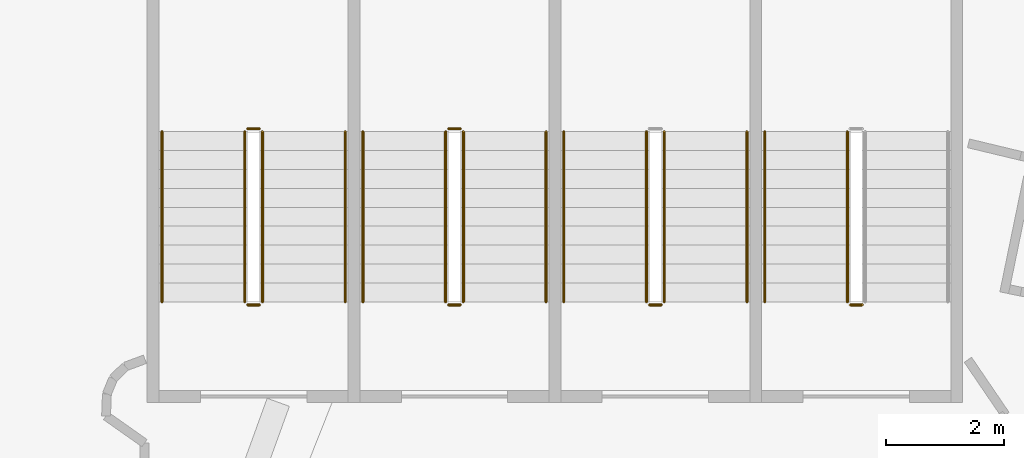
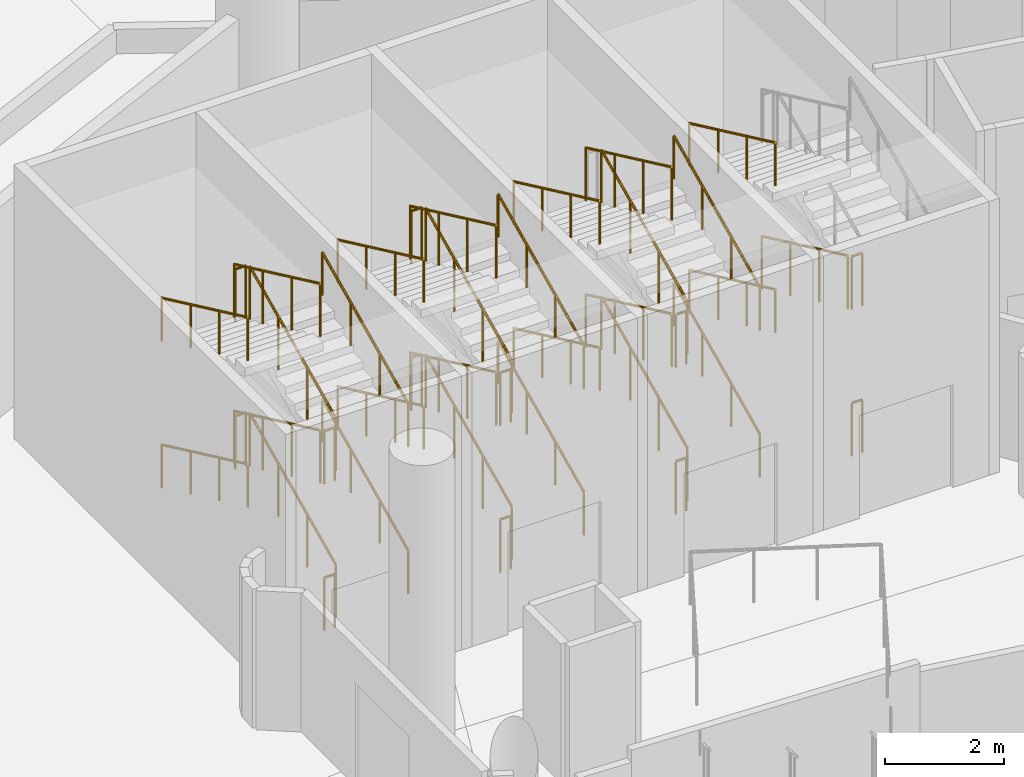
# One storey, part 167 of 173: 39 railings.
"""IFC4 building model written with IfcOpenShell, lengths in metres."""

from ifc_helpers import new_model, si_unit, direction, frame, origin, origin_2d, place, context, subcontext, project, spatial, circle, extrude, material, type_object, element, save


model = new_model("IFC4")

# Units and contexts
model_context = context("Model", 3, precision=1e-05, world=origin(), true_north=direction((0.0, 1.0)))
body_context = subcontext(model_context, "Body", "Model", "MODEL_VIEW")
ifc_project = project(units=[si_unit("LENGTHUNIT", "METRE"), si_unit("AREAUNIT", "SQUARE_METRE"), si_unit("VOLUMEUNIT", "CUBIC_METRE"), si_unit("PLANEANGLEUNIT", "RADIAN"), si_unit("MASSUNIT", "GRAM", prefix="KILO")], contexts=[model_context])

# Site, building, storey
site_placement = place(None, origin())
site = spatial("IfcSite", under=ifc_project, at=site_placement, CompositionType="ELEMENT")
building_placement = place(site_placement, origin())
building = spatial("IfcBuilding", under=site, at=building_placement, Name="Meseta Stadium", CompositionType="ELEMENT")
storey_placement = place(building_placement, frame((0.0, 0.0, 18.0)))
storey = spatial("IfcBuildingStorey", under=building, at=storey_placement, Name="L03", CompositionType="ELEMENT", Elevation=18.0)

# Railings
ifc_material_1 = material(Name="Steel S355", Category="steel")
railing_type_1 = type_object("IfcRailingType", Name="Stair guard 1100", PredefinedType="GUARDRAIL", material=ifc_material_1)
railing_1_placement = place(storey_placement, frame((43.283447265625, 97.080078125, 1.64990234375)))
element("IfcRailing", 1, at=railing_1_placement, inside=storey, type_object=railing_type_1, Name="ST33 L03 guard 3", PredefinedType="GUARDRAIL", context=body_context, shape_type="SweptSolid", body=[
    extrude(circle(Radius=0.02392578125, at=origin_2d()), frame((0.0, 0.0, 1.076171875), z_axis=(0.0, -0.905454327043, 0.424443708447), x_axis=(1.0, 0.0, 0.0)), (0.0, 0.0, 1.0), 3.180908203125),
    extrude(circle(Radius=0.02099609375, at=origin_2d()), origin(), (0.0, 0.0, 1.0), 1.052001953125),
    extrude(circle(Radius=0.02099609375, at=origin_2d()), frame((0.0, -0.9599609375, 0.449951171875)), (0.0, 0.0, 1.0), 1.052001953125),
    extrude(circle(Radius=0.02099609375, at=origin_2d()), frame((0.0, -1.920166015625, 0.900146484375)), (0.0, 0.0, 1.0), 1.052001953125),
    extrude(circle(Radius=0.02099609375, at=origin_2d()), frame((0.0, -2.880126953125, 1.35009765625)), (0.0, 0.0, 1.0), 1.052001953125),
])
for number, where, name in (
    (2, (43.533447265625, 94.14990234375, 3.0), "ST33 L03 guard 4"),
    (3, (43.533447265625, 94.14990234375, 0.0), "ST33 L03 guard 8"),
):
    element("IfcRailing", number, at=place(storey_placement, frame(where)), inside=storey, type_object=railing_type_1, Name=name, PredefinedType="GUARDRAIL", context=body_context, shape_type="SweptSolid", body=[
        extrude(circle(Radius=0.02392578125, at=origin_2d()), frame((0.0, 0.0, 1.076171875), z_axis=(-1.0, 0.0, 0.0), x_axis=(0.0, -1.0, 0.0)), (0.0, 0.0, 1.0), 0.2001953125),
        extrude(circle(Radius=0.02099609375, at=origin_2d()), origin(), (0.0, 0.0, 1.0), 1.052001953125),
        extrude(circle(Radius=0.02099609375, at=origin_2d()), frame((-0.2001953125, 0.0, 0.0)), (0.0, 0.0, 1.0), 1.052001953125),
    ])
railing_2_placement = place(storey_placement, frame((40.183349609375, 94.199951171875, 0.14990234375)))
element("IfcRailing", 4, at=railing_2_placement, inside=storey, type_object=railing_type_1, Name="ST34 L03 guard 1", PredefinedType="GUARDRAIL", context=body_context, shape_type="SweptSolid", body=[
    extrude(circle(Radius=0.02392578125, at=origin_2d()), frame((0.0, 0.0, 1.076171875), z_axis=(0.0, 0.905454327043, 0.424443708447), x_axis=(-1.0, 0.0, 0.0)), (0.0, 0.0, 1.0), 3.180908203125),
    extrude(circle(Radius=0.02099609375, at=origin_2d()), origin(), (0.0, 0.0, 1.0), 1.052001953125),
    extrude(circle(Radius=0.02099609375, at=origin_2d()), frame((0.0, 0.9599609375, 0.449951171875)), (0.0, 0.0, 1.0), 1.052001953125),
    extrude(circle(Radius=0.02099609375, at=origin_2d()), frame((0.0, 1.920166015625, 0.900146484375)), (0.0, 0.0, 1.0), 1.052001953125),
    extrude(circle(Radius=0.02099609375, at=origin_2d()), frame((0.0, 2.880126953125, 1.35009765625)), (0.0, 0.0, 1.0), 1.052001953125),
])
railing_3_placement = place(storey_placement, frame((39.88330078125, 97.080078125, 1.64990234375)))
element("IfcRailing", 5, at=railing_3_placement, inside=storey, type_object=railing_type_1, Name="ST34 L03 guard 3", PredefinedType="GUARDRAIL", context=body_context, shape_type="SweptSolid", body=[
    extrude(circle(Radius=0.02392578125, at=origin_2d()), frame((0.0, 0.0, 1.076171875), z_axis=(0.0, -0.905454327043, 0.424443708447), x_axis=(1.0, 0.0, 0.0)), (0.0, 0.0, 1.0), 3.180908203125),
    extrude(circle(Radius=0.02099609375, at=origin_2d()), origin(), (0.0, 0.0, 1.0), 1.052001953125),
    extrude(circle(Radius=0.02099609375, at=origin_2d()), frame((0.0, -0.9599609375, 0.449951171875)), (0.0, 0.0, 1.0), 1.052001953125),
    extrude(circle(Radius=0.02099609375, at=origin_2d()), frame((0.0, -1.920166015625, 0.900146484375)), (0.0, 0.0, 1.0), 1.052001953125),
    extrude(circle(Radius=0.02099609375, at=origin_2d()), frame((0.0, -2.880126953125, 1.35009765625)), (0.0, 0.0, 1.0), 1.052001953125),
])
railing_4_placement = place(storey_placement, frame((40.13330078125, 94.14990234375, 3.0)))
element("IfcRailing", 6, at=railing_4_placement, inside=storey, type_object=railing_type_1, Name="ST34 L03 guard 4", PredefinedType="GUARDRAIL", context=body_context, shape_type="SweptSolid", body=[
    extrude(circle(Radius=0.02392578125, at=origin_2d()), frame((0.0, 0.0, 1.076171875), z_axis=(-1.0, 0.0, 0.0), x_axis=(0.0, -1.0, 0.0)), (0.0, 0.0, 1.0), 0.199951171875),
    extrude(circle(Radius=0.02099609375, at=origin_2d()), origin(), (0.0, 0.0, 1.0), 1.052001953125),
    extrude(circle(Radius=0.02099609375, at=origin_2d()), frame((-0.199951171875, 0.0, 0.0)), (0.0, 0.0, 1.0), 1.052001953125),
])
railing_5_placement = place(storey_placement, frame((40.183349609375, 94.199951171875, 3.14990234375)))
element("IfcRailing", 7, at=railing_5_placement, inside=storey, type_object=railing_type_1, Name="ST34 L03 guard 5", PredefinedType="GUARDRAIL", context=body_context, shape_type="SweptSolid", body=[
    extrude(circle(Radius=0.02392578125, at=origin_2d()), frame((0.0, 0.0, 1.076171875), z_axis=(0.0, 0.905454327043, 0.424443708447), x_axis=(-1.0, 0.0, 0.0)), (0.0, 0.0, 1.0), 3.180908203125),
    extrude(circle(Radius=0.02099609375, at=origin_2d()), origin(), (0.0, 0.0, 1.0), 1.052001953125),
    extrude(circle(Radius=0.02099609375, at=origin_2d()), frame((0.0, 0.9599609375, 0.449951171875)), (0.0, 0.0, 1.0), 1.052001953125),
    extrude(circle(Radius=0.02099609375, at=origin_2d()), frame((0.0, 1.920166015625, 0.900146484375)), (0.0, 0.0, 1.0), 1.052001953125),
    extrude(circle(Radius=0.02099609375, at=origin_2d()), frame((0.0, 2.880126953125, 1.35009765625)), (0.0, 0.0, 1.0), 1.052001953125),
])
railing_6_placement = place(storey_placement, frame((39.88330078125, 97.080078125, 4.64990234375)))
element("IfcRailing", 8, at=railing_6_placement, inside=storey, type_object=railing_type_1, Name="ST34 L03 guard 7", PredefinedType="GUARDRAIL", context=body_context, shape_type="SweptSolid", body=[
    extrude(circle(Radius=0.02392578125, at=origin_2d()), frame((0.0, 0.0, 1.076171875), z_axis=(0.0, -0.905454327043, 0.424443708447), x_axis=(1.0, 0.0, 0.0)), (0.0, 0.0, 1.0), 3.180908203125),
    extrude(circle(Radius=0.02099609375, at=origin_2d()), origin(), (0.0, 0.0, 1.0), 1.052001953125),
    extrude(circle(Radius=0.02099609375, at=origin_2d()), frame((0.0, -0.9599609375, 0.449951171875)), (0.0, 0.0, 1.0), 1.052001953125),
    extrude(circle(Radius=0.02099609375, at=origin_2d()), frame((0.0, -1.920166015625, 0.900146484375)), (0.0, 0.0, 1.0), 1.052001953125),
    extrude(circle(Radius=0.02099609375, at=origin_2d()), frame((0.0, -2.880126953125, 1.35009765625)), (0.0, 0.0, 1.0), 1.052001953125),
])
railing_7_placement = place(storey_placement, frame((40.13330078125, 94.14990234375, 0.0)))
element("IfcRailing", 9, at=railing_7_placement, inside=storey, type_object=railing_type_1, Name="ST34 L03 guard 8", PredefinedType="GUARDRAIL", context=body_context, shape_type="SweptSolid", body=[
    extrude(circle(Radius=0.02392578125, at=origin_2d()), frame((0.0, 0.0, 1.076171875), z_axis=(-1.0, 0.0, 0.0), x_axis=(0.0, -1.0, 0.0)), (0.0, 0.0, 1.0), 0.199951171875),
    extrude(circle(Radius=0.02099609375, at=origin_2d()), origin(), (0.0, 0.0, 1.0), 1.052001953125),
    extrude(circle(Radius=0.02099609375, at=origin_2d()), frame((-0.199951171875, 0.0, 0.0)), (0.0, 0.0, 1.0), 1.052001953125),
])
railing_8_placement = place(storey_placement, frame((36.783447265625, 94.199951171875, 0.14990234375)))
element("IfcRailing", 10, at=railing_8_placement, inside=storey, type_object=railing_type_1, Name="ST35 L03 guard 1", PredefinedType="GUARDRAIL", context=body_context, shape_type="SweptSolid", body=[
    extrude(circle(Radius=0.02392578125, at=origin_2d()), frame((0.0, 0.0, 1.076171875), z_axis=(0.0, 0.905454327043, 0.424443708447), x_axis=(-1.0, 0.0, 0.0)), (0.0, 0.0, 1.0), 3.180908203125),
    extrude(circle(Radius=0.02099609375, at=origin_2d()), origin(), (0.0, 0.0, 1.0), 1.052001953125),
    extrude(circle(Radius=0.02099609375, at=origin_2d()), frame((0.0, 0.9599609375, 0.449951171875)), (0.0, 0.0, 1.0), 1.052001953125),
    extrude(circle(Radius=0.02099609375, at=origin_2d()), frame((0.0, 1.920166015625, 0.900146484375)), (0.0, 0.0, 1.0), 1.052001953125),
    extrude(circle(Radius=0.02099609375, at=origin_2d()), frame((0.0, 2.880126953125, 1.35009765625)), (0.0, 0.0, 1.0), 1.052001953125),
])
railing_9_placement = place(storey_placement, frame((36.7333984375, 97.1298828125, 1.5)))
element("IfcRailing", 11, at=railing_9_placement, inside=storey, type_object=railing_type_1, Name="ST35 L03 guard 2", PredefinedType="GUARDRAIL", context=body_context, shape_type="SweptSolid", body=[
    extrude(circle(Radius=0.02392578125, at=origin_2d()), frame((0.0, 0.0, 1.076171875), z_axis=(-1.0, 0.0, 0.0), x_axis=(0.0, -1.0, 0.0)), (0.0, 0.0, 1.0), 0.199951171875),
    extrude(circle(Radius=0.02099609375, at=origin_2d()), origin(), (0.0, 0.0, 1.0), 1.052001953125),
    extrude(circle(Radius=0.02099609375, at=origin_2d()), frame((-0.199951171875, 0.0, 0.0)), (0.0, 0.0, 1.0), 1.052001953125),
])
railing_10_placement = place(storey_placement, frame((36.4833984375, 97.080078125, 1.64990234375)))
element("IfcRailing", 12, at=railing_10_placement, inside=storey, type_object=railing_type_1, Name="ST35 L03 guard 3", PredefinedType="GUARDRAIL", context=body_context, shape_type="SweptSolid", body=[
    extrude(circle(Radius=0.02392578125, at=origin_2d()), frame((0.0, 0.0, 1.076171875), z_axis=(0.0, -0.905454327043, 0.424443708447), x_axis=(1.0, 0.0, 0.0)), (0.0, 0.0, 1.0), 3.180908203125),
    extrude(circle(Radius=0.02099609375, at=origin_2d()), origin(), (0.0, 0.0, 1.0), 1.052001953125),
    extrude(circle(Radius=0.02099609375, at=origin_2d()), frame((0.0, -0.9599609375, 0.449951171875)), (0.0, 0.0, 1.0), 1.052001953125),
    extrude(circle(Radius=0.02099609375, at=origin_2d()), frame((0.0, -1.920166015625, 0.900146484375)), (0.0, 0.0, 1.0), 1.052001953125),
    extrude(circle(Radius=0.02099609375, at=origin_2d()), frame((0.0, -2.880126953125, 1.35009765625)), (0.0, 0.0, 1.0), 1.052001953125),
])
railing_11_placement = place(storey_placement, frame((36.7333984375, 94.14990234375, 3.0)))
element("IfcRailing", 13, at=railing_11_placement, inside=storey, type_object=railing_type_1, Name="ST35 L03 guard 4", PredefinedType="GUARDRAIL", context=body_context, shape_type="SweptSolid", body=[
    extrude(circle(Radius=0.02392578125, at=origin_2d()), frame((0.0, 0.0, 1.076171875), z_axis=(-1.0, 0.0, 0.0), x_axis=(0.0, -1.0, 0.0)), (0.0, 0.0, 1.0), 0.199951171875),
    extrude(circle(Radius=0.02099609375, at=origin_2d()), origin(), (0.0, 0.0, 1.0), 1.052001953125),
    extrude(circle(Radius=0.02099609375, at=origin_2d()), frame((-0.199951171875, 0.0, 0.0)), (0.0, 0.0, 1.0), 1.052001953125),
])
railing_12_placement = place(storey_placement, frame((36.783447265625, 94.199951171875, 3.14990234375)))
element("IfcRailing", 14, at=railing_12_placement, inside=storey, type_object=railing_type_1, Name="ST35 L03 guard 5", PredefinedType="GUARDRAIL", context=body_context, shape_type="SweptSolid", body=[
    extrude(circle(Radius=0.02392578125, at=origin_2d()), frame((0.0, 0.0, 1.076171875), z_axis=(0.0, 0.905454327043, 0.424443708447), x_axis=(-1.0, 0.0, 0.0)), (0.0, 0.0, 1.0), 3.180908203125),
    extrude(circle(Radius=0.02099609375, at=origin_2d()), origin(), (0.0, 0.0, 1.0), 1.052001953125),
    extrude(circle(Radius=0.02099609375, at=origin_2d()), frame((0.0, 0.9599609375, 0.449951171875)), (0.0, 0.0, 1.0), 1.052001953125),
    extrude(circle(Radius=0.02099609375, at=origin_2d()), frame((0.0, 1.920166015625, 0.900146484375)), (0.0, 0.0, 1.0), 1.052001953125),
    extrude(circle(Radius=0.02099609375, at=origin_2d()), frame((0.0, 2.880126953125, 1.35009765625)), (0.0, 0.0, 1.0), 1.052001953125),
])
railing_13_placement = place(storey_placement, frame((36.7333984375, 97.1298828125, 4.5)))
element("IfcRailing", 15, at=railing_13_placement, inside=storey, type_object=railing_type_1, Name="ST35 L03 guard 6", PredefinedType="GUARDRAIL", context=body_context, shape_type="SweptSolid", body=[
    extrude(circle(Radius=0.02392578125, at=origin_2d()), frame((0.0, 0.0, 1.076171875), z_axis=(-1.0, 0.0, 0.0), x_axis=(0.0, -1.0, 0.0)), (0.0, 0.0, 1.0), 0.199951171875),
    extrude(circle(Radius=0.02099609375, at=origin_2d()), origin(), (0.0, 0.0, 1.0), 1.052001953125),
    extrude(circle(Radius=0.02099609375, at=origin_2d()), frame((-0.199951171875, 0.0, 0.0)), (0.0, 0.0, 1.0), 1.052001953125),
])
railing_14_placement = place(storey_placement, frame((36.4833984375, 97.080078125, 4.64990234375)))
element("IfcRailing", 16, at=railing_14_placement, inside=storey, type_object=railing_type_1, Name="ST35 L03 guard 7", PredefinedType="GUARDRAIL", context=body_context, shape_type="SweptSolid", body=[
    extrude(circle(Radius=0.02392578125, at=origin_2d()), frame((0.0, 0.0, 1.076171875), z_axis=(0.0, -0.905454327043, 0.424443708447), x_axis=(1.0, 0.0, 0.0)), (0.0, 0.0, 1.0), 3.180908203125),
    extrude(circle(Radius=0.02099609375, at=origin_2d()), origin(), (0.0, 0.0, 1.0), 1.052001953125),
    extrude(circle(Radius=0.02099609375, at=origin_2d()), frame((0.0, -0.9599609375, 0.449951171875)), (0.0, 0.0, 1.0), 1.052001953125),
    extrude(circle(Radius=0.02099609375, at=origin_2d()), frame((0.0, -1.920166015625, 0.900146484375)), (0.0, 0.0, 1.0), 1.052001953125),
    extrude(circle(Radius=0.02099609375, at=origin_2d()), frame((0.0, -2.880126953125, 1.35009765625)), (0.0, 0.0, 1.0), 1.052001953125),
])
railing_15_placement = place(storey_placement, frame((36.7333984375, 94.14990234375, 0.0)))
element("IfcRailing", 17, at=railing_15_placement, inside=storey, type_object=railing_type_1, Name="ST35 L03 guard 8", PredefinedType="GUARDRAIL", context=body_context, shape_type="SweptSolid", body=[
    extrude(circle(Radius=0.02392578125, at=origin_2d()), frame((0.0, 0.0, 1.076171875), z_axis=(-1.0, 0.0, 0.0), x_axis=(0.0, -1.0, 0.0)), (0.0, 0.0, 1.0), 0.199951171875),
    extrude(circle(Radius=0.02099609375, at=origin_2d()), origin(), (0.0, 0.0, 1.0), 1.052001953125),
    extrude(circle(Radius=0.02099609375, at=origin_2d()), frame((-0.199951171875, 0.0, 0.0)), (0.0, 0.0, 1.0), 1.052001953125),
])
railing_16_placement = place(storey_placement, frame((33.38330078125, 94.199951171875, 0.14990234375)))
element("IfcRailing", 18, at=railing_16_placement, inside=storey, type_object=railing_type_1, Name="ST36 L03 guard 1", PredefinedType="GUARDRAIL", context=body_context, shape_type="SweptSolid", body=[
    extrude(circle(Radius=0.02392578125, at=origin_2d()), frame((0.0, 0.0, 1.076171875), z_axis=(0.0, 0.905454327043, 0.424443708447), x_axis=(-1.0, 0.0, 0.0)), (0.0, 0.0, 1.0), 3.180908203125),
    extrude(circle(Radius=0.02099609375, at=origin_2d()), origin(), (0.0, 0.0, 1.0), 1.052001953125),
    extrude(circle(Radius=0.02099609375, at=origin_2d()), frame((0.0, 0.9599609375, 0.449951171875)), (0.0, 0.0, 1.0), 1.052001953125),
    extrude(circle(Radius=0.02099609375, at=origin_2d()), frame((0.0, 1.920166015625, 0.900146484375)), (0.0, 0.0, 1.0), 1.052001953125),
    extrude(circle(Radius=0.02099609375, at=origin_2d()), frame((0.0, 2.880126953125, 1.35009765625)), (0.0, 0.0, 1.0), 1.052001953125),
])
railing_17_placement = place(storey_placement, frame((33.333251953125, 97.1298828125, 1.5)))
element("IfcRailing", 19, at=railing_17_placement, inside=storey, type_object=railing_type_1, Name="ST36 L03 guard 2", PredefinedType="GUARDRAIL", context=body_context, shape_type="SweptSolid", body=[
    extrude(circle(Radius=0.02392578125, at=origin_2d()), frame((0.0, 0.0, 1.076171875), z_axis=(-1.0, 0.0, 0.0), x_axis=(0.0, -1.0, 0.0)), (0.0, 0.0, 1.0), 0.199951171875),
    extrude(circle(Radius=0.02099609375, at=origin_2d()), origin(), (0.0, 0.0, 1.0), 1.052001953125),
    extrude(circle(Radius=0.02099609375, at=origin_2d()), frame((-0.199951171875, 0.0, 0.0)), (0.0, 0.0, 1.0), 1.052001953125),
])
railing_18_placement = place(storey_placement, frame((33.083251953125, 97.080078125, 1.64990234375)))
element("IfcRailing", 20, at=railing_18_placement, inside=storey, type_object=railing_type_1, Name="ST36 L03 guard 3", PredefinedType="GUARDRAIL", context=body_context, shape_type="SweptSolid", body=[
    extrude(circle(Radius=0.02392578125, at=origin_2d()), frame((0.0, 0.0, 1.076171875), z_axis=(0.0, -0.905454327043, 0.424443708447), x_axis=(1.0, 0.0, 0.0)), (0.0, 0.0, 1.0), 3.180908203125),
    extrude(circle(Radius=0.02099609375, at=origin_2d()), origin(), (0.0, 0.0, 1.0), 1.052001953125),
    extrude(circle(Radius=0.02099609375, at=origin_2d()), frame((0.0, -0.9599609375, 0.449951171875)), (0.0, 0.0, 1.0), 1.052001953125),
    extrude(circle(Radius=0.02099609375, at=origin_2d()), frame((0.0, -1.920166015625, 0.900146484375)), (0.0, 0.0, 1.0), 1.052001953125),
    extrude(circle(Radius=0.02099609375, at=origin_2d()), frame((0.0, -2.880126953125, 1.35009765625)), (0.0, 0.0, 1.0), 1.052001953125),
])
railing_19_placement = place(storey_placement, frame((33.333251953125, 94.14990234375, 3.0)))
element("IfcRailing", 21, at=railing_19_placement, inside=storey, type_object=railing_type_1, Name="ST36 L03 guard 4", PredefinedType="GUARDRAIL", context=body_context, shape_type="SweptSolid", body=[
    extrude(circle(Radius=0.02392578125, at=origin_2d()), frame((0.0, 0.0, 1.076171875), z_axis=(-1.0, 0.0, 0.0), x_axis=(0.0, -1.0, 0.0)), (0.0, 0.0, 1.0), 0.199951171875),
    extrude(circle(Radius=0.02099609375, at=origin_2d()), origin(), (0.0, 0.0, 1.0), 1.052001953125),
    extrude(circle(Radius=0.02099609375, at=origin_2d()), frame((-0.199951171875, 0.0, 0.0)), (0.0, 0.0, 1.0), 1.052001953125),
])
railing_20_placement = place(storey_placement, frame((33.38330078125, 94.199951171875, 3.14990234375)))
element("IfcRailing", 22, at=railing_20_placement, inside=storey, type_object=railing_type_1, Name="ST36 L03 guard 5", PredefinedType="GUARDRAIL", context=body_context, shape_type="SweptSolid", body=[
    extrude(circle(Radius=0.02392578125, at=origin_2d()), frame((0.0, 0.0, 1.076171875), z_axis=(0.0, 0.905454327043, 0.424443708447), x_axis=(-1.0, 0.0, 0.0)), (0.0, 0.0, 1.0), 3.180908203125),
    extrude(circle(Radius=0.02099609375, at=origin_2d()), origin(), (0.0, 0.0, 1.0), 1.052001953125),
    extrude(circle(Radius=0.02099609375, at=origin_2d()), frame((0.0, 0.9599609375, 0.449951171875)), (0.0, 0.0, 1.0), 1.052001953125),
    extrude(circle(Radius=0.02099609375, at=origin_2d()), frame((0.0, 1.920166015625, 0.900146484375)), (0.0, 0.0, 1.0), 1.052001953125),
    extrude(circle(Radius=0.02099609375, at=origin_2d()), frame((0.0, 2.880126953125, 1.35009765625)), (0.0, 0.0, 1.0), 1.052001953125),
])
railing_21_placement = place(storey_placement, frame((33.333251953125, 97.1298828125, 4.5)))
element("IfcRailing", 23, at=railing_21_placement, inside=storey, type_object=railing_type_1, Name="ST36 L03 guard 6", PredefinedType="GUARDRAIL", context=body_context, shape_type="SweptSolid", body=[
    extrude(circle(Radius=0.02392578125, at=origin_2d()), frame((0.0, 0.0, 1.076171875), z_axis=(-1.0, 0.0, 0.0), x_axis=(0.0, -1.0, 0.0)), (0.0, 0.0, 1.0), 0.199951171875),
    extrude(circle(Radius=0.02099609375, at=origin_2d()), origin(), (0.0, 0.0, 1.0), 1.052001953125),
    extrude(circle(Radius=0.02099609375, at=origin_2d()), frame((-0.199951171875, 0.0, 0.0)), (0.0, 0.0, 1.0), 1.052001953125),
])
railing_22_placement = place(storey_placement, frame((33.083251953125, 97.080078125, 4.64990234375)))
element("IfcRailing", 24, at=railing_22_placement, inside=storey, type_object=railing_type_1, Name="ST36 L03 guard 7", PredefinedType="GUARDRAIL", context=body_context, shape_type="SweptSolid", body=[
    extrude(circle(Radius=0.02392578125, at=origin_2d()), frame((0.0, 0.0, 1.076171875), z_axis=(0.0, -0.905454327043, 0.424443708447), x_axis=(1.0, 0.0, 0.0)), (0.0, 0.0, 1.0), 3.180908203125),
    extrude(circle(Radius=0.02099609375, at=origin_2d()), origin(), (0.0, 0.0, 1.0), 1.052001953125),
    extrude(circle(Radius=0.02099609375, at=origin_2d()), frame((0.0, -0.9599609375, 0.449951171875)), (0.0, 0.0, 1.0), 1.052001953125),
    extrude(circle(Radius=0.02099609375, at=origin_2d()), frame((0.0, -1.920166015625, 0.900146484375)), (0.0, 0.0, 1.0), 1.052001953125),
    extrude(circle(Radius=0.02099609375, at=origin_2d()), frame((0.0, -2.880126953125, 1.35009765625)), (0.0, 0.0, 1.0), 1.052001953125),
])
railing_23_placement = place(storey_placement, frame((33.333251953125, 94.14990234375, 0.0)))
element("IfcRailing", 25, at=railing_23_placement, inside=storey, type_object=railing_type_1, Name="ST36 L03 guard 8", PredefinedType="GUARDRAIL", context=body_context, shape_type="SweptSolid", body=[
    extrude(circle(Radius=0.02392578125, at=origin_2d()), frame((0.0, 0.0, 1.076171875), z_axis=(-1.0, 0.0, 0.0), x_axis=(0.0, -1.0, 0.0)), (0.0, 0.0, 1.0), 0.199951171875),
    extrude(circle(Radius=0.02099609375, at=origin_2d()), origin(), (0.0, 0.0, 1.0), 1.052001953125),
    extrude(circle(Radius=0.02099609375, at=origin_2d()), frame((-0.199951171875, 0.0, 0.0)), (0.0, 0.0, 1.0), 1.052001953125),
])
ifc_material_2 = material(Name="Steel S355", Category="steel")
railing_type_2 = type_object("IfcRailingType", Name="Stair handrail 900", PredefinedType="HANDRAIL", material=ifc_material_2)
for number, where, name in (
    (26, (41.88330078125, 97.080078125, 1.64990234375), "ST33 L03 handrail 2"),
    (27, (41.88330078125, 97.080078125, 4.64990234375), "ST33 L03 handrail 4"),
):
    element("IfcRailing", number, at=place(storey_placement, frame(where)), inside=storey, type_object=railing_type_2, Name=name, PredefinedType="HANDRAIL", context=body_context, shape_type="SweptSolid", body=[
        extrude(circle(Radius=0.02392578125, at=origin_2d()), frame((0.0, 0.0, 0.8759765625), z_axis=(0.0, -0.905454327043, 0.424443708447), x_axis=(1.0, 0.0, 0.0)), (0.0, 0.0, 1.0), 3.180908203125),
        extrude(circle(Radius=0.02099609375, at=origin_2d()), origin(), (0.0, 0.0, 1.0), 0.851806640625),
        extrude(circle(Radius=0.02099609375, at=origin_2d()), frame((0.0, -0.9599609375, 0.449951171875)), (0.0, 0.0, 1.0), 0.851806640625),
        extrude(circle(Radius=0.02099609375, at=origin_2d()), frame((0.0, -1.920166015625, 0.900146484375)), (0.0, 0.0, 1.0), 0.851806640625),
        extrude(circle(Radius=0.02099609375, at=origin_2d()), frame((0.0, -2.880126953125, 1.35009765625)), (0.0, 0.0, 1.0), 0.851806640625),
    ])
railing_24_placement = place(storey_placement, frame((41.583251953125, 94.199951171875, 0.14990234375)))
element("IfcRailing", 28, at=railing_24_placement, inside=storey, type_object=railing_type_2, Name="ST34 L03 handrail 1", PredefinedType="HANDRAIL", context=body_context, shape_type="SweptSolid", body=[
    extrude(circle(Radius=0.02392578125, at=origin_2d()), frame((0.0, 0.0, 0.8759765625), z_axis=(0.0, 0.905454327043, 0.424443708447), x_axis=(-1.0, 0.0, 0.0)), (0.0, 0.0, 1.0), 3.180908203125),
    extrude(circle(Radius=0.02099609375, at=origin_2d()), origin(), (0.0, 0.0, 1.0), 0.851806640625),
    extrude(circle(Radius=0.02099609375, at=origin_2d()), frame((0.0, 0.9599609375, 0.449951171875)), (0.0, 0.0, 1.0), 0.851806640625),
    extrude(circle(Radius=0.02099609375, at=origin_2d()), frame((0.0, 1.920166015625, 0.900146484375)), (0.0, 0.0, 1.0), 0.851806640625),
    extrude(circle(Radius=0.02099609375, at=origin_2d()), frame((0.0, 2.880126953125, 1.35009765625)), (0.0, 0.0, 1.0), 0.851806640625),
])
railing_25_placement = place(storey_placement, frame((38.4833984375, 97.080078125, 1.64990234375)))
element("IfcRailing", 29, at=railing_25_placement, inside=storey, type_object=railing_type_2, Name="ST34 L03 handrail 2", PredefinedType="HANDRAIL", context=body_context, shape_type="SweptSolid", body=[
    extrude(circle(Radius=0.02392578125, at=origin_2d()), frame((0.0, 0.0, 0.8759765625), z_axis=(0.0, -0.905454327043, 0.424443708447), x_axis=(1.0, 0.0, 0.0)), (0.0, 0.0, 1.0), 3.180908203125),
    extrude(circle(Radius=0.02099609375, at=origin_2d()), origin(), (0.0, 0.0, 1.0), 0.851806640625),
    extrude(circle(Radius=0.02099609375, at=origin_2d()), frame((0.0, -0.9599609375, 0.449951171875)), (0.0, 0.0, 1.0), 0.851806640625),
    extrude(circle(Radius=0.02099609375, at=origin_2d()), frame((0.0, -1.920166015625, 0.900146484375)), (0.0, 0.0, 1.0), 0.851806640625),
    extrude(circle(Radius=0.02099609375, at=origin_2d()), frame((0.0, -2.880126953125, 1.35009765625)), (0.0, 0.0, 1.0), 0.851806640625),
])
railing_26_placement = place(storey_placement, frame((41.583251953125, 94.199951171875, 3.14990234375)))
element("IfcRailing", 30, at=railing_26_placement, inside=storey, type_object=railing_type_2, Name="ST34 L03 handrail 3", PredefinedType="HANDRAIL", context=body_context, shape_type="SweptSolid", body=[
    extrude(circle(Radius=0.02392578125, at=origin_2d()), frame((0.0, 0.0, 0.8759765625), z_axis=(0.0, 0.905454327043, 0.424443708447), x_axis=(-1.0, 0.0, 0.0)), (0.0, 0.0, 1.0), 3.180908203125),
    extrude(circle(Radius=0.02099609375, at=origin_2d()), origin(), (0.0, 0.0, 1.0), 0.851806640625),
    extrude(circle(Radius=0.02099609375, at=origin_2d()), frame((0.0, 0.9599609375, 0.449951171875)), (0.0, 0.0, 1.0), 0.851806640625),
    extrude(circle(Radius=0.02099609375, at=origin_2d()), frame((0.0, 1.920166015625, 0.900146484375)), (0.0, 0.0, 1.0), 0.851806640625),
    extrude(circle(Radius=0.02099609375, at=origin_2d()), frame((0.0, 2.880126953125, 1.35009765625)), (0.0, 0.0, 1.0), 0.851806640625),
])
railing_27_placement = place(storey_placement, frame((38.4833984375, 97.080078125, 4.64990234375)))
element("IfcRailing", 31, at=railing_27_placement, inside=storey, type_object=railing_type_2, Name="ST34 L03 handrail 4", PredefinedType="HANDRAIL", context=body_context, shape_type="SweptSolid", body=[
    extrude(circle(Radius=0.02392578125, at=origin_2d()), frame((0.0, 0.0, 0.8759765625), z_axis=(0.0, -0.905454327043, 0.424443708447), x_axis=(1.0, 0.0, 0.0)), (0.0, 0.0, 1.0), 3.180908203125),
    extrude(circle(Radius=0.02099609375, at=origin_2d()), origin(), (0.0, 0.0, 1.0), 0.851806640625),
    extrude(circle(Radius=0.02099609375, at=origin_2d()), frame((0.0, -0.9599609375, 0.449951171875)), (0.0, 0.0, 1.0), 0.851806640625),
    extrude(circle(Radius=0.02099609375, at=origin_2d()), frame((0.0, -1.920166015625, 0.900146484375)), (0.0, 0.0, 1.0), 0.851806640625),
    extrude(circle(Radius=0.02099609375, at=origin_2d()), frame((0.0, -2.880126953125, 1.35009765625)), (0.0, 0.0, 1.0), 0.851806640625),
])
railing_28_placement = place(storey_placement, frame((38.183349609375, 94.199951171875, 0.14990234375)))
element("IfcRailing", 32, at=railing_28_placement, inside=storey, type_object=railing_type_2, Name="ST35 L03 handrail 1", PredefinedType="HANDRAIL", context=body_context, shape_type="SweptSolid", body=[
    extrude(circle(Radius=0.02392578125, at=origin_2d()), frame((0.0, 0.0, 0.8759765625), z_axis=(0.0, 0.905454327043, 0.424443708447), x_axis=(-1.0, 0.0, 0.0)), (0.0, 0.0, 1.0), 3.180908203125),
    extrude(circle(Radius=0.02099609375, at=origin_2d()), origin(), (0.0, 0.0, 1.0), 0.851806640625),
    extrude(circle(Radius=0.02099609375, at=origin_2d()), frame((0.0, 0.9599609375, 0.449951171875)), (0.0, 0.0, 1.0), 0.851806640625),
    extrude(circle(Radius=0.02099609375, at=origin_2d()), frame((0.0, 1.920166015625, 0.900146484375)), (0.0, 0.0, 1.0), 0.851806640625),
    extrude(circle(Radius=0.02099609375, at=origin_2d()), frame((0.0, 2.880126953125, 1.35009765625)), (0.0, 0.0, 1.0), 0.851806640625),
])
railing_29_placement = place(storey_placement, frame((35.083251953125, 97.080078125, 1.64990234375)))
element("IfcRailing", 33, at=railing_29_placement, inside=storey, type_object=railing_type_2, Name="ST35 L03 handrail 2", PredefinedType="HANDRAIL", context=body_context, shape_type="SweptSolid", body=[
    extrude(circle(Radius=0.02392578125, at=origin_2d()), frame((0.0, 0.0, 0.8759765625), z_axis=(0.0, -0.905454327043, 0.424443708447), x_axis=(1.0, 0.0, 0.0)), (0.0, 0.0, 1.0), 3.180908203125),
    extrude(circle(Radius=0.02099609375, at=origin_2d()), origin(), (0.0, 0.0, 1.0), 0.851806640625),
    extrude(circle(Radius=0.02099609375, at=origin_2d()), frame((0.0, -0.9599609375, 0.449951171875)), (0.0, 0.0, 1.0), 0.851806640625),
    extrude(circle(Radius=0.02099609375, at=origin_2d()), frame((0.0, -1.920166015625, 0.900146484375)), (0.0, 0.0, 1.0), 0.851806640625),
    extrude(circle(Radius=0.02099609375, at=origin_2d()), frame((0.0, -2.880126953125, 1.35009765625)), (0.0, 0.0, 1.0), 0.851806640625),
])
railing_30_placement = place(storey_placement, frame((38.183349609375, 94.199951171875, 3.14990234375)))
element("IfcRailing", 34, at=railing_30_placement, inside=storey, type_object=railing_type_2, Name="ST35 L03 handrail 3", PredefinedType="HANDRAIL", context=body_context, shape_type="SweptSolid", body=[
    extrude(circle(Radius=0.02392578125, at=origin_2d()), frame((0.0, 0.0, 0.8759765625), z_axis=(0.0, 0.905454327043, 0.424443708447), x_axis=(-1.0, 0.0, 0.0)), (0.0, 0.0, 1.0), 3.180908203125),
    extrude(circle(Radius=0.02099609375, at=origin_2d()), origin(), (0.0, 0.0, 1.0), 0.851806640625),
    extrude(circle(Radius=0.02099609375, at=origin_2d()), frame((0.0, 0.9599609375, 0.449951171875)), (0.0, 0.0, 1.0), 0.851806640625),
    extrude(circle(Radius=0.02099609375, at=origin_2d()), frame((0.0, 1.920166015625, 0.900146484375)), (0.0, 0.0, 1.0), 0.851806640625),
    extrude(circle(Radius=0.02099609375, at=origin_2d()), frame((0.0, 2.880126953125, 1.35009765625)), (0.0, 0.0, 1.0), 0.851806640625),
])
railing_31_placement = place(storey_placement, frame((35.083251953125, 97.080078125, 4.64990234375)))
element("IfcRailing", 35, at=railing_31_placement, inside=storey, type_object=railing_type_2, Name="ST35 L03 handrail 4", PredefinedType="HANDRAIL", context=body_context, shape_type="SweptSolid", body=[
    extrude(circle(Radius=0.02392578125, at=origin_2d()), frame((0.0, 0.0, 0.8759765625), z_axis=(0.0, -0.905454327043, 0.424443708447), x_axis=(1.0, 0.0, 0.0)), (0.0, 0.0, 1.0), 3.180908203125),
    extrude(circle(Radius=0.02099609375, at=origin_2d()), origin(), (0.0, 0.0, 1.0), 0.851806640625),
    extrude(circle(Radius=0.02099609375, at=origin_2d()), frame((0.0, -0.9599609375, 0.449951171875)), (0.0, 0.0, 1.0), 0.851806640625),
    extrude(circle(Radius=0.02099609375, at=origin_2d()), frame((0.0, -1.920166015625, 0.900146484375)), (0.0, 0.0, 1.0), 0.851806640625),
    extrude(circle(Radius=0.02099609375, at=origin_2d()), frame((0.0, -2.880126953125, 1.35009765625)), (0.0, 0.0, 1.0), 0.851806640625),
])
railing_32_placement = place(storey_placement, frame((34.783447265625, 94.199951171875, 0.14990234375)))
element("IfcRailing", 36, at=railing_32_placement, inside=storey, type_object=railing_type_2, Name="ST36 L03 handrail 1", PredefinedType="HANDRAIL", context=body_context, shape_type="SweptSolid", body=[
    extrude(circle(Radius=0.02392578125, at=origin_2d()), frame((0.0, 0.0, 0.8759765625), z_axis=(0.0, 0.905454327043, 0.424443708447), x_axis=(-1.0, 0.0, 0.0)), (0.0, 0.0, 1.0), 3.180908203125),
    extrude(circle(Radius=0.02099609375, at=origin_2d()), origin(), (0.0, 0.0, 1.0), 0.851806640625),
    extrude(circle(Radius=0.02099609375, at=origin_2d()), frame((0.0, 0.9599609375, 0.449951171875)), (0.0, 0.0, 1.0), 0.851806640625),
    extrude(circle(Radius=0.02099609375, at=origin_2d()), frame((0.0, 1.920166015625, 0.900146484375)), (0.0, 0.0, 1.0), 0.851806640625),
    extrude(circle(Radius=0.02099609375, at=origin_2d()), frame((0.0, 2.880126953125, 1.35009765625)), (0.0, 0.0, 1.0), 0.851806640625),
])
railing_33_placement = place(storey_placement, frame((31.683349609375, 97.080078125, 1.64990234375)))
element("IfcRailing", 37, at=railing_33_placement, inside=storey, type_object=railing_type_2, Name="ST36 L03 handrail 2", PredefinedType="HANDRAIL", context=body_context, shape_type="SweptSolid", body=[
    extrude(circle(Radius=0.02392578125, at=origin_2d()), frame((0.0, 0.0, 0.8759765625), z_axis=(0.0, -0.905454327043, 0.424443708447), x_axis=(1.0, 0.0, 0.0)), (0.0, 0.0, 1.0), 3.180908203125),
    extrude(circle(Radius=0.02099609375, at=origin_2d()), origin(), (0.0, 0.0, 1.0), 0.851806640625),
    extrude(circle(Radius=0.02099609375, at=origin_2d()), frame((0.0, -0.9599609375, 0.449951171875)), (0.0, 0.0, 1.0), 0.851806640625),
    extrude(circle(Radius=0.02099609375, at=origin_2d()), frame((0.0, -1.920166015625, 0.900146484375)), (0.0, 0.0, 1.0), 0.851806640625),
    extrude(circle(Radius=0.02099609375, at=origin_2d()), frame((0.0, -2.880126953125, 1.35009765625)), (0.0, 0.0, 1.0), 0.851806640625),
])
railing_34_placement = place(storey_placement, frame((34.783447265625, 94.199951171875, 3.14990234375)))
element("IfcRailing", 38, at=railing_34_placement, inside=storey, type_object=railing_type_2, Name="ST36 L03 handrail 3", PredefinedType="HANDRAIL", context=body_context, shape_type="SweptSolid", body=[
    extrude(circle(Radius=0.02392578125, at=origin_2d()), frame((0.0, 0.0, 0.8759765625), z_axis=(0.0, 0.905454327043, 0.424443708447), x_axis=(-1.0, 0.0, 0.0)), (0.0, 0.0, 1.0), 3.180908203125),
    extrude(circle(Radius=0.02099609375, at=origin_2d()), origin(), (0.0, 0.0, 1.0), 0.851806640625),
    extrude(circle(Radius=0.02099609375, at=origin_2d()), frame((0.0, 0.9599609375, 0.449951171875)), (0.0, 0.0, 1.0), 0.851806640625),
    extrude(circle(Radius=0.02099609375, at=origin_2d()), frame((0.0, 1.920166015625, 0.900146484375)), (0.0, 0.0, 1.0), 0.851806640625),
    extrude(circle(Radius=0.02099609375, at=origin_2d()), frame((0.0, 2.880126953125, 1.35009765625)), (0.0, 0.0, 1.0), 0.851806640625),
])
railing_35_placement = place(storey_placement, frame((31.683349609375, 97.080078125, 4.64990234375)))
element("IfcRailing", 39, at=railing_35_placement, inside=storey, type_object=railing_type_2, Name="ST36 L03 handrail 4", PredefinedType="HANDRAIL", context=body_context, shape_type="SweptSolid", body=[
    extrude(circle(Radius=0.02392578125, at=origin_2d()), frame((0.0, 0.0, 0.8759765625), z_axis=(0.0, -0.905454327043, 0.424443708447), x_axis=(1.0, 0.0, 0.0)), (0.0, 0.0, 1.0), 3.180908203125),
    extrude(circle(Radius=0.02099609375, at=origin_2d()), origin(), (0.0, 0.0, 1.0), 0.851806640625),
    extrude(circle(Radius=0.02099609375, at=origin_2d()), frame((0.0, -0.9599609375, 0.449951171875)), (0.0, 0.0, 1.0), 0.851806640625),
    extrude(circle(Radius=0.02099609375, at=origin_2d()), frame((0.0, -1.920166015625, 0.900146484375)), (0.0, 0.0, 1.0), 0.851806640625),
    extrude(circle(Radius=0.02099609375, at=origin_2d()), frame((0.0, -2.880126953125, 1.35009765625)), (0.0, 0.0, 1.0), 0.851806640625),
])

save(model, "model.ifc")
